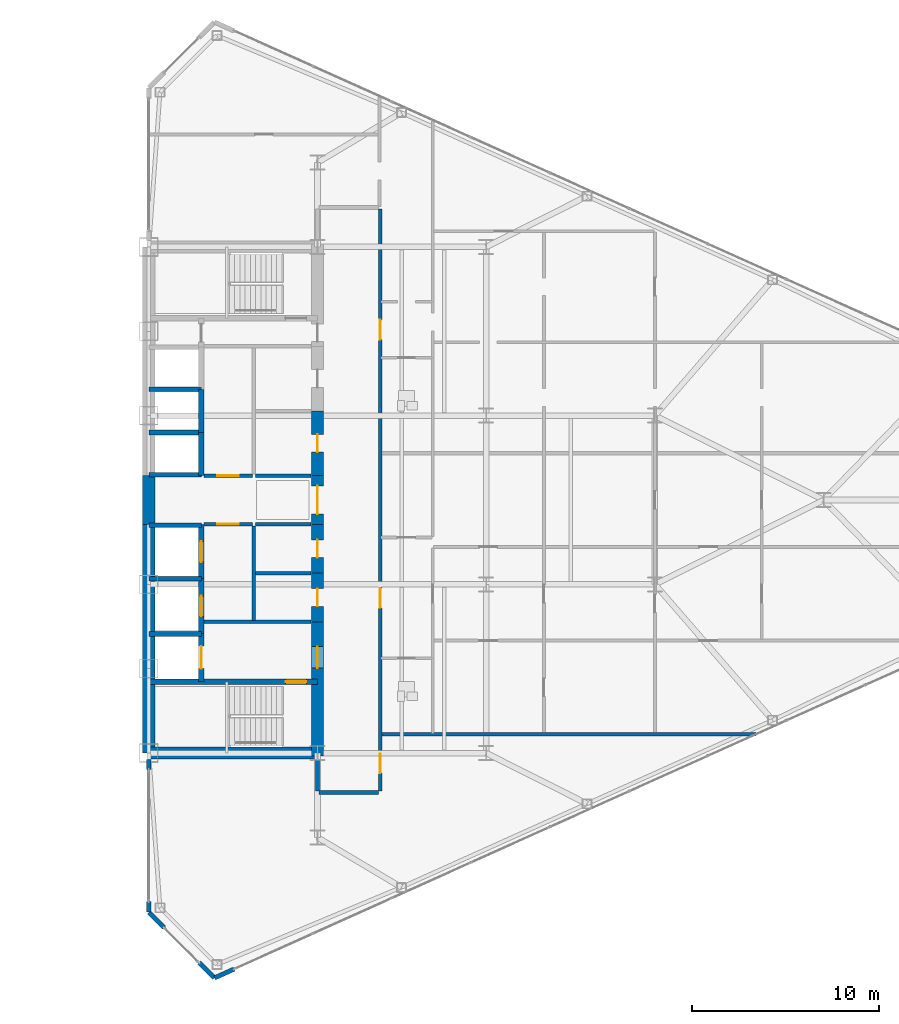
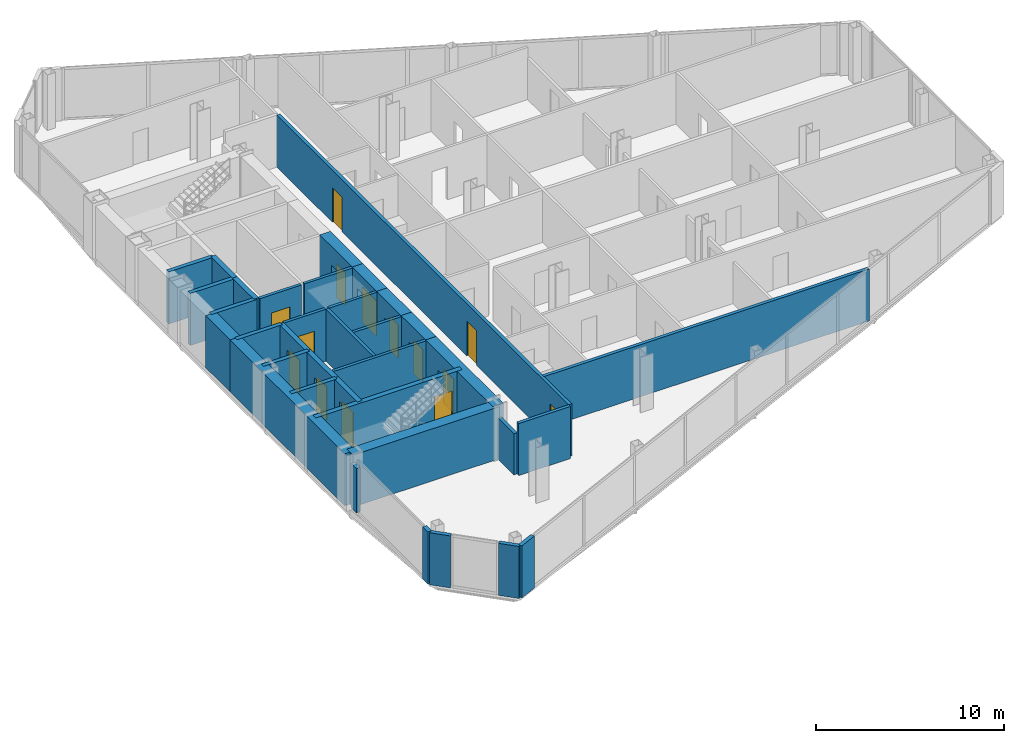
# One storey, part 22 of 27: 36 walls, 14 doors, 14 openings.
"""IFC4 building model written with IfcOpenShell, lengths in metres."""

from ifc_helpers import new_model, si_unit, direction, frame, frame_2d, origin, place, context, subcontext, project, spatial, rectangle, extrude, source, transform, mapped, material, layer, layer_set, type_object, type_shapes, element, fill, save


model = new_model("IFC4")

# Units and contexts
model_context = context("Model", 3, precision=1e-05, world=origin(), true_north=direction((0.0, 1.0)))
body_context = subcontext(model_context, "Body", "Model", "MODEL_VIEW")
ifc_project = project(units=[si_unit("LENGTHUNIT", "METRE"), si_unit("AREAUNIT", "SQUARE_METRE"), si_unit("VOLUMEUNIT", "CUBIC_METRE"), si_unit("PLANEANGLEUNIT", "RADIAN"), si_unit("MASSUNIT", "GRAM", prefix="KILO")], contexts=[model_context])

# Site, building, storey
site_placement = place(None, origin())
site = spatial("IfcSite", under=ifc_project, at=site_placement, CompositionType="ELEMENT")
building_placement = place(site_placement, origin())
building = spatial("IfcBuilding", under=site, at=building_placement, Name="Seokmaru Belvedere", CompositionType="ELEMENT")
storey_placement = place(building_placement, frame((0.0, 0.0, 96.0)))
storey = spatial("IfcBuildingStorey", under=building, at=storey_placement, Name="L25", CompositionType="ELEMENT", Elevation=96.0)

# Walls
ifc_material_1 = material(Name="Fire-Rated Gypsum Shaftwall")
ifc_layer_1 = layer(ifc_material_1, 0.179931640625)
ifc_layer_set_1 = layer_set([ifc_layer_1], Name="Fire-Rated Gypsum Shaftwall")
wall_type_1 = type_object("IfcWallType", Name="Core Service Fire Partition 180", PredefinedType="PARTITIONING", material=ifc_layer_set_1)
wall_1_placement = place(storey_placement, frame((30.449951171875, -6.5, 0.0), z_axis=(0.0, 0.0, 1.0), x_axis=(1.0, 0.0, 0.0)))
element("IfcWall", 1, at=wall_1_placement, inside=storey, type_object=wall_type_1, Name="L25 East Firefighting Lobby Partition", PredefinedType="PARTITIONING", context=body_context, shape_type="SweptSolid", body=[
    extrude(rectangle(XDim=5.699951171875, YDim=0.179931640625, at=frame_2d((2.85009765625, 0.0))), origin(), (0.0, 0.0, 1.0), 3.3798828125),
])
wall_2_placement = place(storey_placement, frame((33.10009765625, -6.419921875, 0.0), z_axis=(0.0, 0.0, 1.0), x_axis=(0.0, 1.0, 0.0)))
element("IfcWall", 2, at=wall_2_placement, inside=storey, type_object=wall_type_1, Name="L25 East South Core Service Back Wall", PredefinedType="PARTITIONING", context=body_context, shape_type="SweptSolid", body=[
    extrude(rectangle(XDim=5.0400390625, YDim=0.179931640625, at=frame_2d((2.52001953125, 0.0))), origin(), (0.0, 0.0, 1.0), 3.3798828125),
])

# Wall, opening, door
wall_3_placement = place(storey_placement, frame((30.449951171875, -1.300048828125, 0.0), z_axis=(0.0, 0.0, 1.0), x_axis=(1.0, 0.0, 0.0)))
wall_3 = element("IfcWall", 3, at=wall_3_placement, inside=storey, type_object=wall_type_1, Name="L25 East South Lift Lobby Foyer Wall", PredefinedType="PARTITIONING", context=body_context, shape_type="SweptSolid", body=[
    extrude(rectangle(XDim=2.570068359375, YDim=0.179931640625, at=frame_2d((1.28515625, 0.0))), origin(), (0.0, 0.0, 1.0), 3.3798828125),
])
opening_1_placement = place(wall_3_placement, frame((0.7099609375, 0.0, 0.0)))
opening_1 = element("IfcOpeningElement", 4, at=opening_1_placement, cuts=wall_3, Name="Opening D02", PredefinedType="OPENING", context=body_context, shape_type="SweptSolid", body=[
    extrude(rectangle(XDim=1.14990234375, YDim=2.199951171875, at=frame_2d((0.574951171875, 1.10009765625))), frame((0.0, 0.10009765625, 0.0), z_axis=(0.0, -1.0, 0.0), x_axis=(1.0, 0.0, 0.0)), (0.0, 0.0, 1.0), 0.199951171875),
])
ifc_material_2 = material(Name="Fire-Rated Steel Leaf", Category="steel")
door_type_1 = type_object("IfcDoorType", Name="Lobby and Vestibule Fire Door 1150x2200", OperationType="NOTDEFINED", PredefinedType="DOOR", material=ifc_material_2)
shared_shape_1 = source(origin(), body_context, "Body", "SweptSolid", [
    extrude(rectangle(XDim=1.14990234375, YDim=2.199951171875, at=frame_2d((0.574951171875, 1.10009765625))), frame((0.0, 0.02490234375, 0.0), z_axis=(0.0, -1.0, 0.0), x_axis=(1.0, 0.0, 0.0)), (0.0, 0.0, 1.0), 0.050048828125),
])
type_shapes(door_type_1, [shared_shape_1])
door_1_placement = place(opening_1_placement, origin())
door_1 = element("IfcDoor", 5, at=door_1_placement, inside=storey, type_object=door_type_1, Name="L25 East South Core Foyer Door", OperationType="SINGLE_SWING_RIGHT", OverallHeight=2.199951171875, OverallWidth=1.14990234375, PredefinedType="DOOR", context=body_context, shape_type="MappedRepresentation", body=[
    mapped(shared_shape_1, transform((0.0, 0.0, 0.0), scale=1.0)),
])
fill(opening_1, door_1)

wall_4_placement = place(storey_placement, frame((30.449951171875, 1.300048828125, 0.0), z_axis=(0.0, 0.0, 1.0), x_axis=(1.0, 0.0, 0.0)))
wall_4 = element("IfcWall", 6, at=wall_4_placement, inside=storey, type_object=wall_type_1, Name="L25 East North Lift Lobby Foyer Wall", PredefinedType="PARTITIONING", context=body_context, shape_type="SweptSolid", body=[
    extrude(rectangle(XDim=2.570068359375, YDim=0.179931640625, at=frame_2d((1.28515625, 0.0))), origin(), (0.0, 0.0, 1.0), 3.3798828125),
])
opening_2_placement = place(wall_4_placement, frame((0.7099609375, 0.0, 0.0)))
opening_2 = element("IfcOpeningElement", 7, at=opening_2_placement, cuts=wall_4, Name="Opening D02", PredefinedType="OPENING", context=body_context, shape_type="SweptSolid", body=[
    extrude(rectangle(XDim=1.14990234375, YDim=2.199951171875, at=frame_2d((0.574951171875, 1.10009765625))), frame((0.0, 0.10009765625, 0.0), z_axis=(0.0, -1.0, 0.0), x_axis=(1.0, 0.0, 0.0)), (0.0, 0.0, 1.0), 0.199951171875),
])
door_2_placement = place(opening_2_placement, origin())
door_2 = element("IfcDoor", 8, at=door_2_placement, inside=storey, type_object=door_type_1, Name="L25 East North Lift Lobby Door", OperationType="SINGLE_SWING_LEFT", OverallHeight=2.199951171875, OverallWidth=1.14990234375, PredefinedType="DOOR", context=body_context, shape_type="MappedRepresentation", body=[
    mapped(shared_shape_1, transform((0.0, 0.0, 0.0), scale=1.0)),
])
fill(opening_2, door_2)

# Walls
for number, where, z_axis, x_axis, name in (
    (9, (33.199951171875, -1.300048828125, 0.0), (0.0, 0.0, 1.0), (1.0, 0.0, 0.0), "L25 East Foyer Side Wall S"),
    (10, (33.199951171875, 1.300048828125, 0.0), (0.0, 0.0, 1.0), (1.0, 0.0, 0.0), "L25 East Foyer Side Wall N"),
    (11, (33.199951171875, -3.89990234375, 0.0), (0.0, 0.0, 1.0), (1.0, 0.0, 0.0), "L25 East Core Service Partition 1"),
):
    element("IfcWall", number, at=place(storey_placement, frame(where, z_axis=z_axis, x_axis=x_axis)), inside=storey, type_object=wall_type_1, Name=name, PredefinedType="PARTITIONING", context=body_context, shape_type="SweptSolid", body=[
        extrude(rectangle(XDim=2.949951171875, YDim=0.179931640625, at=frame_2d((1.47509765625, 0.0))), origin(), (0.0, 0.0, 1.0), 3.3798828125),
    ])
ifc_material_3 = material(Name="Concrete C50 (50 MPa)", Category="concrete")
ifc_layer_2 = layer(ifc_material_3, 0.25)
ifc_layer_set_2 = layer_set([ifc_layer_2], Name="Concrete C50 (50 MPa)")
wall_type_2 = type_object("IfcWallType", Name="Hoistway Transverse Concrete Divider Wall 250", PredefinedType="SHEAR", material=ifc_layer_set_2)
for number, where, z_axis, x_axis, name in (
    (12, (27.5, -7.14990234375, 0.0), (0.0, 0.0, 1.0), (1.0, 0.0, 0.0), "L25 East Hoistway Divider Core Wall 1"),
    (13, (27.5, -4.199951171875, 0.0), (0.0, 0.0, 1.0), (1.0, 0.0, 0.0), "L25 East Hoistway Divider Core Wall 2"),
    (14, (27.5, -1.35009765625, 0.0), (0.0, 0.0, 1.0), (1.0, 0.0, 0.0), "L25 East Hoistway Divider Core Wall 3"),
    (15, (27.5, 1.35009765625, 0.0), (0.0, 0.0, 1.0), (1.0, 0.0, 0.0), "L25 East Hoistway Divider Core Wall 4"),
    (16, (27.5, 3.60009765625, 0.0), (0.0, 0.0, 1.0), (1.0, 0.0, 0.0), "L25 East Hoistway Divider Core Wall 5"),
    (17, (27.5, 5.89990234375, 0.0), (0.0, 0.0, 1.0), (1.0, 0.0, 0.0), "L25 East Hoistway Divider Core Wall 6"),
):
    element("IfcWall", number, at=place(storey_placement, frame(where, z_axis=z_axis, x_axis=x_axis)), inside=storey, type_object=wall_type_2, Name=name, PredefinedType="SHEAR", context=body_context, shape_type="SweptSolid", body=[
        extrude(rectangle(XDim=2.800048828125, YDim=0.25, at=frame_2d((1.39990234375, 0.0))), origin(), (0.0, 0.0, 1.0), 3.3798828125),
    ])
ifc_layer_3 = layer(ifc_material_1, 0.199951171875)
ifc_layer_set_3 = layer_set([ifc_layer_3], Name="Fire-Rated Gypsum Shaftwall")
wall_type_3 = type_object("IfcWallType", Name="Inter-Tenancy Fire Compartment Partition 200", PredefinedType="PARTITIONING", material=ifc_layer_set_3)
wall_5_placement = place(storey_placement, frame((36.5849609375, -15.60009765625, 0.0), z_axis=(0.0, 0.0, 1.0), x_axis=(1.0, 0.0, 0.0)))
element("IfcWall", 18, at=wall_5_placement, inside=storey, type_object=wall_type_3, Name="L25 Interior Partition 002", PredefinedType="PARTITIONING", context=body_context, shape_type="SweptSolid", body=[
    extrude(rectangle(XDim=3.179931640625, YDim=0.199951171875, at=frame_2d((1.58984375, 0.0))), origin(), (0.0, 0.0, 1.0), 3.3798828125),
])
wall_6_placement = place(storey_placement, frame((39.929931640625, -12.5, 0.0), z_axis=(0.0, 0.0, 1.0), x_axis=(1.0, 0.0, 0.0)))
element("IfcWall", 19, at=wall_6_placement, inside=storey, type_object=wall_type_3, Name="L25 Interior Partition 004", PredefinedType="PARTITIONING", context=body_context, shape_type="SweptSolid", body=[
    extrude(rectangle(XDim=19.970947265625, YDim=0.199951171875, at=frame_2d((9.9853515625, 0.0))), origin(), (0.0, 0.0, 1.0), 3.3798828125),
])
wall_7_placement = place(storey_placement, frame((36.5, -15.514892578125, 0.0), z_axis=(0.0, 0.0, 1.0), x_axis=(0.0, 1.0, 0.0)))
element("IfcWall", 20, at=wall_7_placement, inside=storey, type_object=wall_type_3, Name="L25 Interior Partition 043", PredefinedType="PARTITIONING", context=body_context, shape_type="SweptSolid", body=[
    extrude(rectangle(XDim=1.684814453125, YDim=0.199951171875, at=frame_2d((0.84228515625, 0.0))), origin(), (0.0, 0.0, 1.0), 2.679931640625),
])

# Wall, openings, doors
wall_8_placement = place(storey_placement, frame((39.85009765625, -15.514892578125, 0.0), z_axis=(0.0, 0.0, 1.0), x_axis=(0.0, 1.0, 0.0)))
wall_8 = element("IfcWall", 21, at=wall_8_placement, inside=storey, type_object=wall_type_3, Name="L25 Interior Partition 046", PredefinedType="PARTITIONING", context=body_context, shape_type="SweptSolid", body=[
    extrude(rectangle(XDim=31.02978515625, YDim=0.199951171875, at=frame_2d((15.514892578125, 0.0))), origin(), (0.0, 0.0, 1.0), 3.3798828125),
])
opening_3_placement = place(wall_8_placement, frame((0.93994140625, 0.0, 0.0)))
opening_3 = element("IfcOpeningElement", 22, at=opening_3_placement, cuts=wall_8, Name="Opening D03", PredefinedType="OPENING", context=body_context, shape_type="SweptSolid", body=[
    extrude(rectangle(XDim=1.050048828125, YDim=2.25, at=frame_2d((0.52490234375, 1.125))), frame((0.0, 0.10986328125, 0.0), z_axis=(0.0, -1.0, 0.0), x_axis=(1.0, 0.0, 0.0)), (0.0, 0.0, 1.0), 0.219970703125),
])
opening_4_placement = place(wall_8_placement, frame((9.764892578125, 0.0, 0.0)))
opening_4 = element("IfcOpeningElement", 23, at=opening_4_placement, cuts=wall_8, Name="Opening D03", PredefinedType="OPENING", context=body_context, shape_type="SweptSolid", body=[
    extrude(rectangle(XDim=1.050048828125, YDim=2.25, at=frame_2d((0.52490234375, 1.125))), frame((0.0, 0.10986328125, 0.0), z_axis=(0.0, -1.0, 0.0), x_axis=(1.0, 0.0, 0.0)), (0.0, 0.0, 1.0), 0.219970703125),
])
opening_5_placement = place(wall_8_placement, frame((24.0673828125, 0.0, 0.0)))
opening_5 = element("IfcOpeningElement", 24, at=opening_5_placement, cuts=wall_8, Name="Opening D03", PredefinedType="OPENING", context=body_context, shape_type="SweptSolid", body=[
    extrude(rectangle(XDim=1.050048828125, YDim=2.25, at=frame_2d((0.52490234375, 1.125))), frame((0.0, 0.10986328125, 0.0), z_axis=(0.0, -1.0, 0.0), x_axis=(1.0, 0.0, 0.0)), (0.0, 0.0, 1.0), 0.219970703125),
])
door_type_2 = type_object("IfcDoorType", Name="Apartment Entrance Fire Door 1050x2250", OperationType="NOTDEFINED", PredefinedType="DOOR", material=ifc_material_2)
shared_shape_2 = source(origin(), body_context, "Body", "SweptSolid", [
    extrude(rectangle(XDim=1.050048828125, YDim=2.25, at=frame_2d((0.52490234375, 1.125))), frame((0.0, 0.02490234375, 0.0), z_axis=(0.0, -1.0, 0.0), x_axis=(1.0, 0.0, 0.0)), (0.0, 0.0, 1.0), 0.050048828125),
])
type_shapes(door_type_2, [shared_shape_2])
door_3_placement = place(opening_3_placement, origin())
door_3 = element("IfcDoor", 25, at=door_3_placement, inside=storey, type_object=door_type_2, Name="L25 Interior Door 034", OperationType="SINGLE_SWING_LEFT", OverallHeight=2.25, OverallWidth=1.050048828125, PredefinedType="DOOR", context=body_context, shape_type="MappedRepresentation", body=[
    mapped(shared_shape_2, transform((0.0, 0.0, 0.0), scale=1.0)),
])
fill(opening_3, door_3)
door_4_placement = place(opening_4_placement, origin())
door_4 = element("IfcDoor", 26, at=door_4_placement, inside=storey, type_object=door_type_2, Name="L25 Interior Door 035", OperationType="SINGLE_SWING_RIGHT", OverallHeight=2.25, OverallWidth=1.050048828125, PredefinedType="DOOR", context=body_context, shape_type="MappedRepresentation", body=[
    mapped(shared_shape_2, transform((0.0, 0.0, 0.0), scale=1.0)),
])
fill(opening_4, door_4)
door_5_placement = place(opening_5_placement, origin())
door_5 = element("IfcDoor", 27, at=door_5_placement, inside=storey, type_object=door_type_2, Name="L25 Interior Door 049", OperationType="SINGLE_SWING_LEFT", OverallHeight=2.25, OverallWidth=1.050048828125, PredefinedType="DOOR", context=body_context, shape_type="MappedRepresentation", body=[
    mapped(shared_shape_2, transform((0.0, 0.0, 0.0), scale=1.0)),
])
fill(opening_5, door_5)

# Wall, opening, door
ifc_layer_4 = layer(ifc_material_3, 0.300048828125)
ifc_layer_set_4 = layer_set([ifc_layer_4], Name="Concrete C50 (50 MPa)")
wall_type_4 = type_object("IfcWallType", Name="Internal Core Stair and Hoistway Wall 300", PredefinedType="SHEAR", material=ifc_layer_set_4)
wall_9_placement = place(storey_placement, frame((27.5, -9.699951171875, 0.0), z_axis=(0.0, 0.0, 1.0), x_axis=(1.0, 0.0, 0.0)))
wall_9 = element("IfcWall", 28, at=wall_9_placement, inside=storey, type_object=wall_type_4, Name="L25 East Stair ST-1 Enclosure Wall", PredefinedType="SHEAR", context=body_context, shape_type="SweptSolid", body=[
    extrude(rectangle(XDim=9.0, YDim=0.300048828125, at=frame_2d((4.5, 0.0))), origin(), (0.0, 0.0, 1.0), 3.3798828125),
])
opening_6_placement = place(wall_9_placement, frame((7.300048828125, 0.0, 0.0)))
opening_6 = element("IfcOpeningElement", 29, at=opening_6_placement, cuts=wall_9, Name="Opening D01", PredefinedType="OPENING", context=body_context, shape_type="SweptSolid", body=[
    extrude(rectangle(XDim=1.10009765625, YDim=2.199951171875, at=frame_2d((0.550048828125, 1.10009765625))), frame((0.0, 0.16015625, 0.0), z_axis=(0.0, -1.0, 0.0), x_axis=(1.0, 0.0, 0.0)), (0.0, 0.0, 1.0), 0.320068359375),
])
door_type_3 = type_object("IfcDoorType", Name="Special Escape Stair Smokeproof Fire Door 1100x2200", OperationType="NOTDEFINED", PredefinedType="DOOR", material=ifc_material_2)
shared_shape_3 = source(origin(), body_context, "Body", "SweptSolid", [
    extrude(rectangle(XDim=1.10009765625, YDim=2.199951171875, at=frame_2d((0.550048828125, 1.10009765625))), frame((0.0, 0.02490234375, 0.0), z_axis=(0.0, -1.0, 0.0), x_axis=(1.0, 0.0, 0.0)), (0.0, 0.0, 1.0), 0.050048828125),
])
type_shapes(door_type_3, [shared_shape_3])
door_6_placement = place(opening_6_placement, frame((1.10009765625, 0.0, 0.0), z_axis=(0.0, 0.0, 1.0), x_axis=(-1.0, 0.0, 0.0)))
door_6 = element("IfcDoor", 30, at=door_6_placement, inside=storey, type_object=door_type_3, Name="L25 East Special Escape Stair ST-1 Door", OperationType="SINGLE_SWING_RIGHT", OverallHeight=2.199951171875, OverallWidth=1.10009765625, PredefinedType="DOOR", context=body_context, shape_type="MappedRepresentation", body=[
    mapped(shared_shape_3, transform((0.0, 0.0, 0.0), scale=1.0)),
])
fill(opening_6, door_6)

wall_10_placement = place(storey_placement, frame((30.300048828125, -9.679931640625, 0.0), z_axis=(0.0, 0.0, 1.0), x_axis=(0.0, 1.0, 0.0)))
wall_10 = element("IfcWall", 31, at=wall_10_placement, inside=storey, type_object=wall_type_4, Name="L25 East Firefighting Lift Shaft Front Wall", PredefinedType="SHEAR", context=body_context, shape_type="SweptSolid", body=[
    extrude(rectangle(XDim=2.559814453125, YDim=0.300048828125, at=frame_2d((1.27978515625, 0.0))), origin(), (0.0, 0.0, 1.0), 3.3798828125),
])
opening_7_placement = place(wall_10_placement, frame((0.679931640625, 0.0, 0.0)))
opening_7 = element("IfcOpeningElement", 32, at=opening_7_placement, cuts=wall_10, Name="Opening LD2", PredefinedType="OPENING", context=body_context, shape_type="SweptSolid", body=[
    extrude(rectangle(XDim=1.199951171875, YDim=2.25, at=frame_2d((0.60009765625, 1.125))), frame((0.0, 0.16015625, 0.0), z_axis=(0.0, -1.0, 0.0), x_axis=(1.0, 0.0, 0.0)), (0.0, 0.0, 1.0), 0.320068359375),
])
ifc_material_4 = material(Name="Stainless Steel 316", Category="steel")
door_type_4 = type_object("IfcDoorType", Name="Firefighting Lift Sliding Landing Door 1200x2250", OperationType="DOUBLE_DOOR_SLIDING", PredefinedType="DOOR", material=ifc_material_4)
shared_shape_4 = source(origin(), body_context, "Body", "SweptSolid", [
    extrude(rectangle(XDim=1.199951171875, YDim=2.25, at=frame_2d((0.60009765625, 1.125))), frame((0.0, 0.02490234375, 0.0), z_axis=(0.0, -1.0, 0.0), x_axis=(1.0, 0.0, 0.0)), (0.0, 0.0, 1.0), 0.050048828125),
])
type_shapes(door_type_4, [shared_shape_4])
door_7_placement = place(opening_7_placement, origin())
door_7 = element("IfcDoor", 33, at=door_7_placement, inside=storey, type_object=door_type_4, Name="L25 East Firefighting Lift Landing Door", OperationType="DOUBLE_DOOR_SLIDING", OverallHeight=2.25, OverallWidth=1.199951171875, PredefinedType="DOOR", context=body_context, shape_type="MappedRepresentation", body=[
    mapped(shared_shape_4, transform((0.0, 0.0, 0.0), scale=1.0)),
])
fill(opening_7, door_7)

wall_11_placement = place(storey_placement, frame((30.300048828125, -7.1201171875, 0.0), z_axis=(0.0, 0.0, 1.0), x_axis=(0.0, 1.0, 0.0)))
wall_11 = element("IfcWall", 34, at=wall_11_placement, inside=storey, type_object=wall_type_4, Name="L25 East Low-Rise Lift PL-1 Front Wall", PredefinedType="SHEAR", context=body_context, shape_type="SweptSolid", body=[
    extrude(rectangle(XDim=2.920166015625, YDim=0.300048828125, at=frame_2d((1.4599609375, 0.0))), origin(), (0.0, 0.0, 1.0), 3.3798828125),
])
opening_8_placement = place(wall_11_placement, frame((0.909912109375, 0.0, 0.0)))
opening_8 = element("IfcOpeningElement", 35, at=opening_8_placement, cuts=wall_11, Name="Opening LD1", PredefinedType="OPENING", context=body_context, shape_type="SweptSolid", body=[
    extrude(rectangle(XDim=1.10009765625, YDim=2.199951171875, at=frame_2d((0.550048828125, 1.10009765625))), frame((0.0, 0.16015625, 0.0), z_axis=(0.0, -1.0, 0.0), x_axis=(1.0, 0.0, 0.0)), (0.0, 0.0, 1.0), 0.320068359375),
])
door_type_5 = type_object("IfcDoorType", Name="Passenger Lift Sliding Landing Door 1100x2200", OperationType="DOUBLE_DOOR_SLIDING", PredefinedType="DOOR", material=ifc_material_4)
shared_shape_5 = source(origin(), body_context, "Body", "SweptSolid", [
    extrude(rectangle(XDim=1.10009765625, YDim=2.199951171875, at=frame_2d((0.550048828125, 1.10009765625))), frame((0.0, 0.02490234375, 0.0), z_axis=(0.0, -1.0, 0.0), x_axis=(1.0, 0.0, 0.0)), (0.0, 0.0, 1.0), 0.050048828125),
])
type_shapes(door_type_5, [shared_shape_5])
door_8_placement = place(opening_8_placement, origin())
door_8 = element("IfcDoor", 36, at=door_8_placement, inside=storey, type_object=door_type_5, Name="L25 East Low-Rise Lift PL-1 Landing Door", OperationType="DOUBLE_DOOR_SLIDING", OverallHeight=2.199951171875, OverallWidth=1.10009765625, PredefinedType="DOOR", context=body_context, shape_type="MappedRepresentation", body=[
    mapped(shared_shape_5, transform((0.0, 0.0, 0.0), scale=1.0)),
])
fill(opening_8, door_8)

wall_12_placement = place(storey_placement, frame((30.300048828125, -4.199951171875, 0.0), z_axis=(0.0, 0.0, 1.0), x_axis=(0.0, 1.0, 0.0)))
wall_12 = element("IfcWall", 37, at=wall_12_placement, inside=storey, type_object=wall_type_4, Name="L25 East Low-Rise Lift PL-2 Front Wall", PredefinedType="SHEAR", context=body_context, shape_type="SweptSolid", body=[
    extrude(rectangle(XDim=2.8798828125, YDim=0.300048828125, at=frame_2d((1.43994140625, 0.0))), origin(), (0.0, 0.0, 1.0), 3.3798828125),
])
opening_9_placement = place(wall_12_placement, frame((0.889892578125, 0.0, 0.0)))
opening_9 = element("IfcOpeningElement", 38, at=opening_9_placement, cuts=wall_12, Name="Opening LD1", PredefinedType="OPENING", context=body_context, shape_type="SweptSolid", body=[
    extrude(rectangle(XDim=1.10009765625, YDim=2.199951171875, at=frame_2d((0.550048828125, 1.10009765625))), frame((0.0, 0.16015625, 0.0), z_axis=(0.0, -1.0, 0.0), x_axis=(1.0, 0.0, 0.0)), (0.0, 0.0, 1.0), 0.320068359375),
])
door_9_placement = place(opening_9_placement, origin())
door_9 = element("IfcDoor", 39, at=door_9_placement, inside=storey, type_object=door_type_5, Name="L25 East Low-Rise Lift PL-2 Landing Door", OperationType="DOUBLE_DOOR_SLIDING", OverallHeight=2.199951171875, OverallWidth=1.10009765625, PredefinedType="DOOR", context=body_context, shape_type="MappedRepresentation", body=[
    mapped(shared_shape_5, transform((0.0, 0.0, 0.0), scale=1.0)),
])
fill(opening_9, door_9)

# Walls
wall_13_placement = place(storey_placement, frame((30.300048828125, 1.320068359375, 0.0), z_axis=(0.0, 0.0, 1.0), x_axis=(0.0, 1.0, 0.0)))
element("IfcWall", 40, at=wall_13_placement, inside=storey, type_object=wall_type_4, Name="L25 East North Hoistway Wall PH1", PredefinedType="SHEAR", context=body_context, shape_type="SweptSolid", body=[
    extrude(rectangle(XDim=2.280029296875, YDim=0.300048828125, at=frame_2d((1.14013671875, 0.0))), origin(), (0.0, 0.0, 1.0), 3.3798828125),
])
wall_14_placement = place(storey_placement, frame((30.300048828125, 3.60009765625, 0.0), z_axis=(0.0, 0.0, 1.0), x_axis=(0.0, 1.0, 0.0)))
element("IfcWall", 41, at=wall_14_placement, inside=storey, type_object=wall_type_4, Name="L25 East North Hoistway Wall PH2", PredefinedType="SHEAR", context=body_context, shape_type="SweptSolid", body=[
    extrude(rectangle(XDim=2.2998046875, YDim=0.300048828125, at=frame_2d((1.14990234375, 0.0))), origin(), (0.0, 0.0, 1.0), 3.3798828125),
])
ifc_material_5 = material(Name="Concrete C60 (60 MPa)", Category="concrete")
ifc_layer_5 = layer(ifc_material_5, 0.64990234375)
ifc_layer_set_5 = layer_set([ifc_layer_5], Name="Concrete C60 (60 MPa)")
wall_type_5 = type_object("IfcWallType", Name="Mid-Low Reinforced Concrete Core Wall 650", PredefinedType="SHEAR", material=ifc_layer_set_5)
wall_15_placement = place(storey_placement, frame((27.5, -13.5, 0.0), z_axis=(0.0, 0.0, 1.0), x_axis=(0.0, 1.0, 0.0)))
element("IfcWall", 42, at=wall_15_placement, inside=storey, type_object=wall_type_5, Name="L25 East Portal Spine Core Wall South", PredefinedType="SHEAR", context=body_context, shape_type="SweptSolid", body=[
    extrude(rectangle(XDim=12.199951171875, YDim=0.64990234375, at=frame_2d((6.10009765625, 0.0))), origin(), (0.0, 0.0, 1.0), 3.3798828125),
])
wall_16_placement = place(storey_placement, frame((27.5, -1.300048828125, 0.0), z_axis=(0.0, 0.0, 1.0), x_axis=(0.0, 1.0, 0.0)))
element("IfcWall", 43, at=wall_16_placement, inside=storey, type_object=wall_type_5, Name="L25 East Portal Spine Core Wall Center", PredefinedType="SHEAR", context=body_context, shape_type="SweptSolid", body=[
    extrude(rectangle(XDim=2.60009765625, YDim=0.64990234375, at=frame_2d((1.300048828125, 0.0))), origin(), (0.0, 0.0, 1.0), 3.3798828125),
])
wall_17_placement = place(storey_placement, frame((27.5, -13.5, 0.0), z_axis=(0.0, 0.0, 1.0), x_axis=(1.0, 0.0, 0.0)))
element("IfcWall", 44, at=wall_17_placement, inside=storey, type_object=wall_type_5, Name="L25 East South Core Wall", PredefinedType="SHEAR", context=body_context, shape_type="SweptSolid", body=[
    extrude(rectangle(XDim=9.0, YDim=0.64990234375, at=frame_2d((4.5, 0.0))), origin(), (0.0, 0.0, 1.0), 3.3798828125),
])

# Wall, opening, door
wall_18_placement = place(storey_placement, frame((36.5, -13.64990234375, 0.0), z_axis=(0.0, 0.0, 1.0), x_axis=(0.0, 1.0, 0.0)))
wall_18 = element("IfcWall", 45, at=wall_18_placement, inside=storey, type_object=wall_type_5, Name="L25 East West Core Wall FF", PredefinedType="SHEAR", context=body_context, shape_type="SweptSolid", body=[
    extrude(rectangle(XDim=7.14990234375, YDim=0.64990234375, at=frame_2d((3.574951171875, 0.0))), origin(), (0.0, 0.0, 1.0), 3.3798828125),
])
opening_10_placement = place(wall_18_placement, frame((4.675048828125, 0.0, 0.0)))
opening_10 = element("IfcOpeningElement", 46, at=opening_10_placement, cuts=wall_18, Name="Opening D02", PredefinedType="OPENING", context=body_context, shape_type="SweptSolid", body=[
    extrude(rectangle(XDim=1.14990234375, YDim=2.199951171875, at=frame_2d((0.574951171875, 1.10009765625))), frame((0.0, 0.3349609375, 0.0), z_axis=(0.0, -1.0, 0.0), x_axis=(1.0, 0.0, 0.0)), (0.0, 0.0, 1.0), 0.669921875),
])
door_10_placement = place(opening_10_placement, origin())
door_10 = element("IfcDoor", 47, at=door_10_placement, inside=storey, type_object=door_type_1, Name="L25 East Firefighting Lobby Door", OperationType="SINGLE_SWING_RIGHT", OverallHeight=2.199951171875, OverallWidth=1.14990234375, PredefinedType="DOOR", context=body_context, shape_type="MappedRepresentation", body=[
    mapped(shared_shape_1, transform((0.0, 0.0, 0.0), scale=1.0)),
])
fill(opening_10, door_10)

wall_19_placement = place(storey_placement, frame((36.5, -1.300048828125, 0.0), z_axis=(0.0, 0.0, 1.0), x_axis=(0.0, 1.0, 0.0)))
wall_19 = element("IfcWall", 48, at=wall_19_placement, inside=storey, type_object=wall_type_5, Name="L25 East West Core Wall FOY", PredefinedType="SHEAR", context=body_context, shape_type="SweptSolid", body=[
    extrude(rectangle(XDim=2.60009765625, YDim=0.64990234375, at=frame_2d((1.300048828125, 0.0))), origin(), (0.0, 0.0, 1.0), 3.3798828125),
])
opening_11_placement = place(wall_19_placement, frame((0.550048828125, 0.0, 0.0)))
opening_11 = element("IfcOpeningElement", 49, at=opening_11_placement, cuts=wall_19, Name="Opening D08", PredefinedType="OPENING", context=body_context, shape_type="SweptSolid", body=[
    extrude(rectangle(XDim=1.5, YDim=2.300048828125, at=frame_2d((0.75, 1.14990234375))), frame((0.0, 0.3349609375, 0.0), z_axis=(0.0, -1.0, 0.0), x_axis=(1.0, 0.0, 0.0)), (0.0, 0.0, 1.0), 0.669921875),
])
door_type_6 = type_object("IfcDoorType", Name="Cross-Corridor Compartment Double Fire Door 1500x2300", OperationType="DOUBLE_SWING_LEFT", PredefinedType="DOOR", material=ifc_material_2)
shared_shape_6 = source(origin(), body_context, "Body", "SweptSolid", [
    extrude(rectangle(XDim=1.5, YDim=2.300048828125, at=frame_2d((0.75, 1.14990234375))), frame((0.0, 0.02490234375, 0.0), z_axis=(0.0, -1.0, 0.0), x_axis=(1.0, 0.0, 0.0)), (0.0, 0.0, 1.0), 0.050048828125),
])
type_shapes(door_type_6, [shared_shape_6])
door_11_placement = place(opening_11_placement, origin())
door_11 = element("IfcDoor", 50, at=door_11_placement, inside=storey, type_object=door_type_6, Name="L25 East Core Foyer Compartment Door", OperationType="DOUBLE_SWING_LEFT", OverallHeight=2.300048828125, OverallWidth=1.5, PredefinedType="DOOR", context=body_context, shape_type="MappedRepresentation", body=[
    mapped(shared_shape_6, transform((0.0, 0.0, 0.0), scale=1.0)),
])
fill(opening_11, door_11)

wall_20_placement = place(storey_placement, frame((36.5, -6.5, 0.0), z_axis=(0.0, 0.0, 1.0), x_axis=(0.0, 1.0, 0.0)))
wall_20 = element("IfcWall", 51, at=wall_20_placement, inside=storey, type_object=wall_type_5, Name="L25 East West Core Wall CS1", PredefinedType="SHEAR", context=body_context, shape_type="SweptSolid", body=[
    extrude(rectangle(XDim=2.60009765625, YDim=0.64990234375, at=frame_2d((1.300048828125, 0.0))), origin(), (0.0, 0.0, 1.0), 3.3798828125),
])
opening_12_placement = place(wall_20_placement, frame((0.824951171875, 0.0, 0.0)))
opening_12 = element("IfcOpeningElement", 52, at=opening_12_placement, cuts=wall_20, Name="Opening D04", PredefinedType="OPENING", context=body_context, shape_type="SweptSolid", body=[
    extrude(rectangle(XDim=0.949951171875, YDim=2.14990234375, at=frame_2d((0.47509765625, 1.074951171875))), frame((0.0, 0.3349609375, 0.0), z_axis=(0.0, -1.0, 0.0), x_axis=(1.0, 0.0, 0.0)), (0.0, 0.0, 1.0), 0.669921875),
])
door_type_7 = type_object("IfcDoorType", Name="Core Service Room Fire Door 950x2150", OperationType="NOTDEFINED", PredefinedType="DOOR", material=ifc_material_2)
shared_shape_7 = source(origin(), body_context, "Body", "SweptSolid", [
    extrude(rectangle(XDim=0.949951171875, YDim=2.14990234375, at=frame_2d((0.47509765625, 1.074951171875))), frame((0.0, 0.02490234375, 0.0), z_axis=(0.0, -1.0, 0.0), x_axis=(1.0, 0.0, 0.0)), (0.0, 0.0, 1.0), 0.050048828125),
])
type_shapes(door_type_7, [shared_shape_7])
door_12_placement = place(opening_12_placement, origin())
door_12 = element("IfcDoor", 53, at=door_12_placement, inside=storey, type_object=door_type_7, Name="L25 East Core Service Room Door 1", OperationType="SINGLE_SWING_RIGHT", OverallHeight=2.14990234375, OverallWidth=0.949951171875, PredefinedType="DOOR", context=body_context, shape_type="MappedRepresentation", body=[
    mapped(shared_shape_7, transform((0.0, 0.0, 0.0), scale=1.0)),
])
fill(opening_12, door_12)

wall_21_placement = place(storey_placement, frame((36.5, -3.89990234375, 0.0), z_axis=(0.0, 0.0, 1.0), x_axis=(0.0, 1.0, 0.0)))
wall_21 = element("IfcWall", 54, at=wall_21_placement, inside=storey, type_object=wall_type_5, Name="L25 East West Core Wall CS2", PredefinedType="SHEAR", context=body_context, shape_type="SweptSolid", body=[
    extrude(rectangle(XDim=2.599853515625, YDim=0.64990234375, at=frame_2d((1.2998046875, 0.0))), origin(), (0.0, 0.0, 1.0), 3.3798828125),
])
opening_13_placement = place(wall_21_placement, frame((0.824951171875, 0.0, 0.0)))
opening_13 = element("IfcOpeningElement", 55, at=opening_13_placement, cuts=wall_21, Name="Opening D04", PredefinedType="OPENING", context=body_context, shape_type="SweptSolid", body=[
    extrude(rectangle(XDim=0.949951171875, YDim=2.14990234375, at=frame_2d((0.47509765625, 1.074951171875))), frame((0.0, 0.3349609375, 0.0), z_axis=(0.0, -1.0, 0.0), x_axis=(1.0, 0.0, 0.0)), (0.0, 0.0, 1.0), 0.669921875),
])
door_13_placement = place(opening_13_placement, origin())
door_13 = element("IfcDoor", 56, at=door_13_placement, inside=storey, type_object=door_type_7, Name="L25 East Core Service Room Door 2", OperationType="SINGLE_SWING_LEFT", OverallHeight=2.14990234375, OverallWidth=0.949951171875, PredefinedType="DOOR", context=body_context, shape_type="MappedRepresentation", body=[
    mapped(shared_shape_7, transform((0.0, 0.0, 0.0), scale=1.0)),
])
fill(opening_13, door_13)

wall_22_placement = place(storey_placement, frame((36.5, 1.300048828125, 0.0), z_axis=(0.0, 0.0, 1.0), x_axis=(0.0, 1.0, 0.0)))
wall_22 = element("IfcWall", 57, at=wall_22_placement, inside=storey, type_object=wall_type_5, Name="L25 East West Core Wall CS3", PredefinedType="SHEAR", context=body_context, shape_type="SweptSolid", body=[
    extrude(rectangle(XDim=3.449951171875, YDim=0.64990234375, at=frame_2d((1.72509765625, 0.0))), origin(), (0.0, 0.0, 1.0), 3.3798828125),
])
opening_14_placement = place(wall_22_placement, frame((1.25, 0.0, 0.0)))
opening_14 = element("IfcOpeningElement", 58, at=opening_14_placement, cuts=wall_22, Name="Opening D04", PredefinedType="OPENING", context=body_context, shape_type="SweptSolid", body=[
    extrude(rectangle(XDim=0.949951171875, YDim=2.14990234375, at=frame_2d((0.47509765625, 1.074951171875))), frame((0.0, 0.3349609375, 0.0), z_axis=(0.0, -1.0, 0.0), x_axis=(1.0, 0.0, 0.0)), (0.0, 0.0, 1.0), 0.669921875),
])
door_14_placement = place(opening_14_placement, origin())
door_14 = element("IfcDoor", 59, at=door_14_placement, inside=storey, type_object=door_type_7, Name="L25 East Core Service Room Door 3", OperationType="SINGLE_SWING_RIGHT", OverallHeight=2.14990234375, OverallWidth=0.949951171875, PredefinedType="DOOR", context=body_context, shape_type="MappedRepresentation", body=[
    mapped(shared_shape_7, transform((0.0, 0.0, 0.0), scale=1.0)),
])
fill(opening_14, door_14)

# Walls
ifc_material_6 = material(Name="Anodised Bronze Aluminium", Category="aluminium")
ifc_layer_6 = layer(ifc_material_6, 0.239990234375)
ifc_layer_set_6 = layer_set([ifc_layer_6], Name="Anodised Bronze Aluminium")
wall_type_6 = type_object("IfcWallType", Name="Tower Corner Spandrel Closure Wall 240", PredefinedType="SOLIDWALL", material=ifc_layer_set_6)
wall_23_placement = place(storey_placement, frame((31.009033203125, -25.495849609375, 0.0), z_axis=(0.0, 0.0, 1.0), x_axis=(0.911929519623, 0.410346866979, 0.0)))
element("IfcWall", 60, at=wall_23_placement, inside=storey, type_object=wall_type_6, Name="L25 E Corner Closure Pier 1A", PredefinedType="SOLIDWALL", context=body_context, shape_type="SweptSolid", body=[
    extrude(rectangle(XDim=1.139892578125, YDim=0.239990234375, at=frame_2d((0.56982421875, 0.0))), origin(), (0.0, 0.0, 1.0), 3.3798828125),
])
wall_24_placement = place(storey_placement, frame((27.5, -21.97998046875, 0.0), z_axis=(0.0, 0.0, 1.0), x_axis=(0.0, 1.0, 0.0)))
element("IfcWall", 61, at=wall_24_placement, inside=storey, type_object=wall_type_6, Name="L25 E Spine Closure Pier 1A", PredefinedType="SOLIDWALL", context=body_context, shape_type="SweptSolid", body=[
    extrude(rectangle(XDim=0.550048828125, YDim=0.239990234375, at=frame_2d((0.27490234375, 0.0))), origin(), (0.0, 0.0, 1.0), 3.3798828125),
])
wall_25_placement = place(storey_placement, frame((27.5, -14.3798828125, 0.0), z_axis=(0.0, 0.0, 1.0), x_axis=(0.0, 1.0, 0.0)))
element("IfcWall", 62, at=wall_25_placement, inside=storey, type_object=wall_type_6, Name="L25 E Spine Closure Pier 1B", PredefinedType="SOLIDWALL", context=body_context, shape_type="SweptSolid", body=[
    extrude(rectangle(XDim=0.5498046875, YDim=0.239990234375, at=frame_2d((0.27490234375, 0.0))), origin(), (0.0, 0.0, 1.0), 2.8798828125),
])
for number, where, z_axis, x_axis, name in (
    (63, (27.507080078125, -22.007080078125, 0.0), (0.0, 0.0, 1.0), (0.707106781187, -0.707106781187, 0.0), "L25 E Corner Closure Pier 6A"),
    (64, (30.186767578125, -24.686767578125, 0.0), (0.0, 0.0, 1.0), (0.707106781187, -0.707106781187, 0.0), "L25 E Corner Closure Pier 6B"),
):
    element("IfcWall", number, at=place(storey_placement, frame(where, z_axis=z_axis, x_axis=x_axis)), inside=storey, type_object=wall_type_6, Name=name, PredefinedType="SOLIDWALL", context=body_context, shape_type="SweptSolid", body=[
        extrude(rectangle(XDim=1.14013671875, YDim=0.239990234375, at=frame_2d((0.570068359375, 0.0))), origin(), (0.0, 0.0, 1.0), 3.3798828125),
    ])

save(model, "model.ifc")
